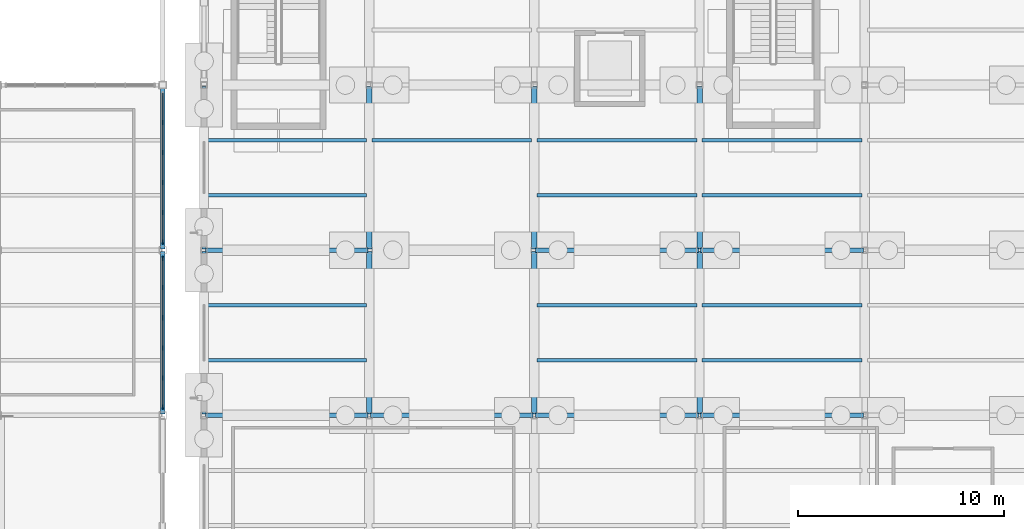
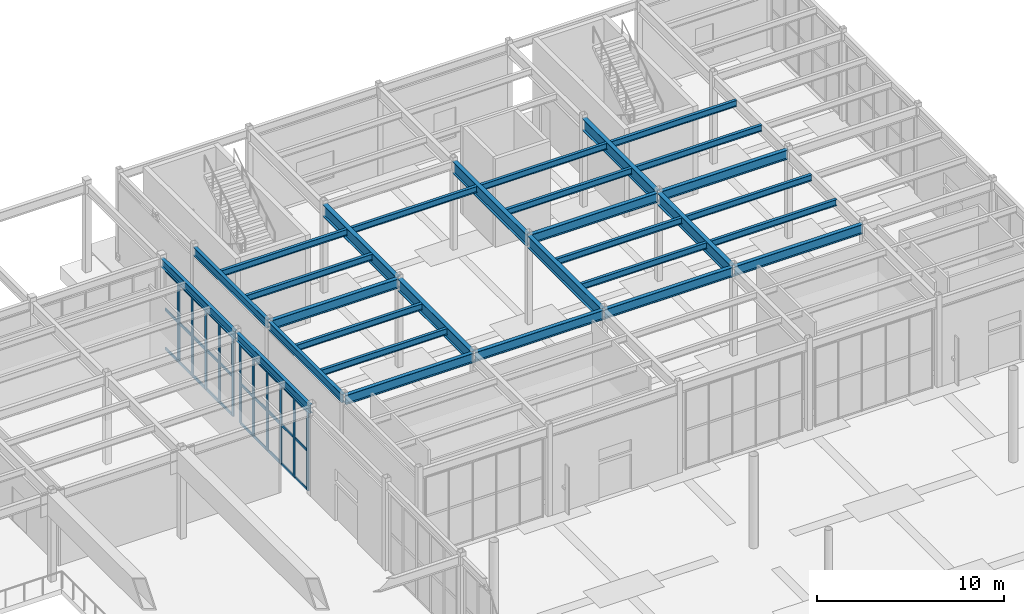
# One storey, part 45 of 82: 30 beams, 17 members, 2 elements without a shape of their own.
"""IFC4 building model written with IfcOpenShell, lengths in metres."""

import ifcopenshell
import ifcopenshell.guid

model = None  # the IFC model being written
_history = None  # IfcOwnerHistory: only IFC2X3 demands one
_inside = {}  # id of a spatial element -> (the spatial element, [elements in it])
_under = {}  # id of a project, library or spatial element -> (it, [spatial elements below it])
_declared = {}  # id of a project -> (the project, [libraries it declares])
_typed = {}  # id of a type object -> (the type object, [elements of that type])
_made_of = {}  # id of a material, layer set ... -> (it, [elements and type objects made of it])


def new_model(schema):
    """Start an empty IFC model of exactly this schema.

    Asked for "IFC4X3", IfcOpenShell would pick the latest addendum, in which some entities
    have other attributes; the version numbers below select the first issue.
    IFC2X3 requires an IfcOwnerHistory on every rooted entity: one is made here for all.
    """
    global model, _history
    if schema == "IFC4X3":
        model = ifcopenshell.file(schema_version=(4, 3, 0, 0))
    else:
        model = ifcopenshell.file(schema=schema)
    _inside.clear()
    _under.clear()
    _declared.clear()
    _typed.clear()
    _made_of.clear()
    _history = None
    if model.schema == "IFC2X3":
        org = make("IfcOrganization", Name="unknown")
        user = make(
            "IfcPersonAndOrganization",
            ThePerson=make("IfcPerson", FamilyName="unknown"),
            TheOrganization=org,
        )
        app = make(
            "IfcApplication",
            ApplicationDeveloper=org,
            Version="unknown",
            ApplicationFullName="unknown",
            ApplicationIdentifier="unknown",
        )
        _history = make(
            "IfcOwnerHistory",
            OwningUser=user,
            OwningApplication=app,
            ChangeAction="ADDED",
            CreationDate=0,
        )
    return model


def make(cls, **values):
    """One entity of the class cls with the attributes given. An attribute that is None is left unset."""
    return model.create_entity(
        cls, **{name: value for name, value in values.items() if value is not None}
    )


def rooted(cls, **values):
    """An entity with a GlobalId (a new one), such as an element, a storey or a relation."""
    return make(cls, GlobalId=ifcopenshell.guid.new(), OwnerHistory=_history, **values)


def si_unit(unit_type, name, prefix=None):
    """IfcSIUnit, for example si_unit("LENGTHUNIT", "METRE", prefix="MILLI")."""
    return make("IfcSIUnit", UnitType=unit_type, Prefix=prefix, Name=name)


def assignment(units):
    """IfcUnitAssignment: the units of a project."""
    return None if units is None else make("IfcUnitAssignment", Units=units)


def point(xyz):
    """IfcCartesianPoint."""
    return None if xyz is None else make("IfcCartesianPoint", Coordinates=xyz)


def direction(xyz):
    """IfcDirection."""
    return None if xyz is None else make("IfcDirection", DirectionRatios=xyz)


def frame(location, z_axis=None, x_axis=None):
    """IfcAxis2Placement3D, a coordinate frame: its origin and axes. An axis left out is left unset."""
    return make(
        "IfcAxis2Placement3D",
        Location=point(location),
        Axis=direction(z_axis),
        RefDirection=direction(x_axis),
    )


def frame_2d(location, x_axis=None):
    """IfcAxis2Placement2D, a coordinate frame in the plane: its origin and x axis."""
    return make(
        "IfcAxis2Placement2D", Location=point(location), RefDirection=direction(x_axis)
    )


def origin():
    """The frame at (0, 0, 0) with its axes left unset."""
    return frame((0.0, 0.0, 0.0))


def origin_2d():
    """The frame at (0, 0) in the plane with its x axis left unset."""
    return frame_2d((0.0, 0.0))


def place(relative_to, where):
    """IfcLocalPlacement: puts the frame where relative to a parent placement (None: the world)."""
    return make(
        "IfcLocalPlacement", PlacementRelTo=relative_to, RelativePlacement=where
    )


def context(
    kind, dimensions, precision=None, world=None, true_north=None, identifier=None
):
    """IfcGeometricRepresentationContext, for example the 3D "Model" context."""
    return make(
        "IfcGeometricRepresentationContext",
        ContextIdentifier=identifier,
        ContextType=kind,
        CoordinateSpaceDimension=dimensions,
        Precision=precision,
        WorldCoordinateSystem=world,
        TrueNorth=true_north,
    )


def subcontext(parent, identifier, kind, view, scale=None):
    """IfcGeometricRepresentationSubContext, for example "Body" below "Model"."""
    return make(
        "IfcGeometricRepresentationSubContext",
        ContextIdentifier=identifier,
        ContextType=kind,
        ParentContext=parent,
        TargetScale=scale,
        TargetView=view,
    )


def project(units=None, contexts=None):
    """IfcProject with its units and contexts."""
    return rooted(
        "IfcProject",
        Name="project",
        RepresentationContexts=contexts,
        UnitsInContext=assignment(units),
    )


def spatial(cls, under=None, at=None, **own):
    """A site, building, storey or space (cls), placed at a placement, below another one or the project."""
    s = rooted(cls, ObjectPlacement=at, **own)
    if under is not None:
        _under.setdefault(under.id(), (under, []))[1].append(s)
    return s


def profile(cls, at=None, kind="AREA", **sizes):
    """A parametric profile (cls). Its sizes go by their IFC names, for example OverallWidth=200.0."""
    return make(cls, ProfileType=kind, Position=at, **sizes)


def rectangle(**sizes):
    """IfcRectangleProfileDef."""
    return profile("IfcRectangleProfileDef", **sizes)


def i_section(**sizes):
    """IfcIShapeProfileDef."""
    return profile("IfcIShapeProfileDef", **sizes)


def extrude(swept, where, along, depth):
    """IfcExtrudedAreaSolid: the profile swept, set in the frame where, extruded along a direction by depth."""
    return make(
        "IfcExtrudedAreaSolid",
        SweptArea=swept,
        Position=where,
        ExtrudedDirection=direction(along),
        Depth=depth,
    )


def shape(context_of_items, identifier, shape_type, items):
    """IfcShapeRepresentation: the items that make up one representation, for example the "Body"."""
    return make(
        "IfcShapeRepresentation",
        ContextOfItems=context_of_items,
        RepresentationIdentifier=identifier,
        RepresentationType=shape_type,
        Items=items,
    )


def material(Name=None, Category=None):
    """IfcMaterial."""
    return make("IfcMaterial", Name=Name, Category=Category)


def material_profile(
    of_material, cross_section, Name=None, Category=None, Priority=None
):
    """IfcMaterialProfile: a cross section and its material."""
    return make(
        "IfcMaterialProfile",
        Name=Name,
        Material=of_material,
        Profile=cross_section,
        Priority=Priority,
        Category=Category,
    )


def profile_set(profiles, Name=None, composite=None):
    """IfcMaterialProfileSet."""
    return make(
        "IfcMaterialProfileSet",
        Name=Name,
        MaterialProfiles=profiles,
        CompositeProfile=composite,
    )


def made_of(thing, what):
    """Note that an element or type object is made of a material, layer set ...; save() writes the relation."""
    if what is not None:
        _made_of.setdefault(what.id(), (what, []))[1].append(thing)
    return thing


def type_object(cls, material=None, **own):
    """A type object (cls), such as IfcWallType, which elements share."""
    return made_of(rooted(cls, **own), material)


def element(
    cls,
    number,
    at=None,
    inside=None,
    cuts=None,
    type_object=None,
    material=None,
    context=None,
    identifier="Body",
    shape_type=None,
    held_by="IfcProductDefinitionShape",
    body=None,
    shapes=None,
    **own,
):
    """One element of the class cls, such as IfcWall. Its Tag is "e" and its number.

    at: its placement. inside: the storey or other place that contains it. cuts: it is an
    opening in that element (IfcRelVoidsElement). A single representation is given by context,
    identifier, shape_type and body (its items); several are given by shapes. held_by: the class
    of the entity that holds the representations. save() writes the other relations.
    """
    e = rooted(cls, Tag="e%d" % number, ObjectPlacement=at, **own)
    if body is not None:
        shapes = [shape(context, identifier, shape_type, body)]
    if shapes is not None:
        e.Representation = make(held_by, Representations=shapes)
    if inside is not None:
        _inside.setdefault(inside.id(), (inside, []))[1].append(e)
    if cuts is not None:
        rooted(
            "IfcRelVoidsElement", RelatingBuildingElement=cuts, RelatedOpeningElement=e
        )
    if type_object is not None:
        _typed.setdefault(type_object.id(), (type_object, []))[1].append(e)
    return made_of(e, material)


def aggregate(whole, parts):
    """IfcRelAggregates: a whole, such as a stair, and the parts it consists of."""
    return rooted("IfcRelAggregates", RelatingObject=whole, RelatedObjects=parts)


def save(model, path):
    """Write the relations noted so far, then the file.

    IfcRelAggregates (storeys below a building ...), IfcRelContainedInSpatialStructure (elements
    in a storey), IfcRelDefinesByType, IfcRelAssociatesMaterial and IfcRelDeclares: one each for
    every whole, place, type object, material and project.
    """
    for whole, parts in _under.values():
        aggregate(whole, parts)
    for where, things in _inside.values():
        rooted(
            "IfcRelContainedInSpatialStructure",
            RelatedElements=things,
            RelatingStructure=where,
        )
    for kind, things in _typed.values():
        rooted("IfcRelDefinesByType", RelatedObjects=things, RelatingType=kind)
    for what, things in _made_of.values():
        rooted("IfcRelAssociatesMaterial", RelatedObjects=things, RelatingMaterial=what)
    for by, libraries in _declared.values():
        rooted("IfcRelDeclares", RelatingContext=by, RelatedDefinitions=libraries)
    model.write(path)


model = new_model("IFC4")

# Units and contexts
model_context = context("Model", 3, precision=1e-05, world=origin(), true_north=direction((0.0, 1.0)))
body_context = subcontext(model_context, "Body", "Model", "MODEL_VIEW")
ifc_project = project(units=[si_unit("LENGTHUNIT", "METRE"), si_unit("AREAUNIT", "SQUARE_METRE"), si_unit("VOLUMEUNIT", "CUBIC_METRE"), si_unit("PLANEANGLEUNIT", "RADIAN"), si_unit("MASSUNIT", "GRAM", prefix="KILO")], contexts=[model_context])

# Site, building, storey
site_placement = place(None, origin())
site = spatial("IfcSite", under=ifc_project, at=site_placement, CompositionType="ELEMENT")
building_placement = place(site_placement, origin())
building = spatial("IfcBuilding", under=site, at=building_placement, Name="Drelvath Fold Interchange", CompositionType="ELEMENT")
storey_placement = place(building_placement, origin())
storey = spatial("IfcBuildingStorey", under=building, at=storey_placement, Name="L00", CompositionType="ELEMENT", Elevation=0.0)

# Beams
ifc_material_1 = material(Name="Steel ASTM A992 Grade 50", Category="steel")
ifc_material_profile_1 = material_profile(ifc_material_1, i_section(OverallWidth=0.177978515625, OverallDepth=0.403076171875, WebThickness=0.007568359375, FlangeThickness=0.010986328125, at=origin_2d()), Name="W16X36")
ifc_profile_set_1 = profile_set([ifc_material_profile_1], Name="Steel ASTM A992 Grade 50")
beam_type_1 = type_object("IfcBeamType", Name="BM-W16X36", PredefinedType="JOIST", material=ifc_profile_set_1)
for number, where, z_axis, x_axis, name in (
    (1, (102.10302734375, 85.6669921875, 5.55810546875), (1.0, 0.0, 0.0), (0.0, 1.0, 0.0), "L00 Secondary floor joist BM-W16X36"),
    (2, (102.10302734375, 88.3330078125, 5.55810546875), (1.0, 0.0, 0.0), (0.0, 1.0, 0.0), "L00 Secondary floor joist BM-W16X36"),
    (3, (102.10302734375, 93.6669921875, 5.55810546875), (1.0, 0.0, 0.0), (0.0, 1.0, 0.0), "L00 Secondary floor joist BM-W16X36"),
    (4, (102.10302734375, 96.3330078125, 5.55810546875), (1.0, 0.0, 0.0), (0.0, 1.0, 0.0), "L00 Secondary floor joist BM-W16X36"),
):
    element("IfcBeam", number, at=place(storey_placement, frame(where, z_axis=z_axis, x_axis=x_axis)), inside=storey, type_object=beam_type_1, Name=name, PredefinedType="JOIST", context=body_context, shape_type="SweptSolid", body=[
        extrude(i_section(OverallWidth=0.177978515625, OverallDepth=0.403076171875, WebThickness=0.007568359375, FlangeThickness=0.010986328125, at=origin_2d()), origin(), (0.0, 0.0, 1.0), 7.765869140625),
    ])
for number, where, z_axis, x_axis, name in (
    (5, (110.131103515625, 96.3330078125, 5.55810546875), (1.0, 0.0, 0.0), (0.0, 1.0, 0.0), "L00 Secondary floor joist BM-W16X36"),
    (6, (118.131103515625, 85.6669921875, 5.55810546875), (1.0, 0.0, 0.0), (0.0, 1.0, 0.0), "L00 Secondary floor joist BM-W16X36"),
    (7, (118.131103515625, 88.3330078125, 5.55810546875), (1.0, 0.0, 0.0), (0.0, 1.0, 0.0), "L00 Secondary floor joist BM-W16X36"),
    (8, (118.131103515625, 93.6669921875, 5.55810546875), (1.0, 0.0, 0.0), (0.0, 1.0, 0.0), "L00 Secondary floor joist BM-W16X36"),
    (9, (118.131103515625, 96.3330078125, 5.55810546875), (1.0, 0.0, 0.0), (0.0, 1.0, 0.0), "L00 Secondary floor joist BM-W16X36"),
    (10, (126.131103515625, 85.6669921875, 5.55810546875), (1.0, 0.0, 0.0), (0.0, 1.0, 0.0), "L00 Secondary floor joist BM-W16X36"),
    (11, (126.131103515625, 88.3330078125, 5.55810546875), (1.0, 0.0, 0.0), (0.0, 1.0, 0.0), "L00 Secondary floor joist BM-W16X36"),
    (12, (126.131103515625, 93.6669921875, 5.55810546875), (1.0, 0.0, 0.0), (0.0, 1.0, 0.0), "L00 Secondary floor joist BM-W16X36"),
    (13, (126.131103515625, 96.3330078125, 5.55810546875), (1.0, 0.0, 0.0), (0.0, 1.0, 0.0), "L00 Secondary floor joist BM-W16X36"),
):
    element("IfcBeam", number, at=place(storey_placement, frame(where, z_axis=z_axis, x_axis=x_axis)), inside=storey, type_object=beam_type_1, Name=name, PredefinedType="JOIST", context=body_context, shape_type="SweptSolid", body=[
        extrude(i_section(OverallWidth=0.177978515625, OverallDepth=0.403076171875, WebThickness=0.007568359375, FlangeThickness=0.010986328125, at=origin_2d()), origin(), (0.0, 0.0, 1.0), 7.73779296875),
    ])
ifc_material_profile_2 = material_profile(ifc_material_1, i_section(OverallWidth=0.2099609375, OverallDepth=0.537109375, WebThickness=0.010986328125, FlangeThickness=0.017333984375, at=origin_2d()), Name="W21X68")
ifc_profile_set_2 = profile_set([ifc_material_profile_2], Name="Steel ASTM A992 Grade 50")
beam_type_2 = type_object("IfcBeamType", Name="BM-W21X68", PredefinedType="SPANDREL", material=ifc_profile_set_2)
for number, where, z_axis, x_axis, name in (
    (14, (100.0, 83.06005859375, 5.490966796875), (0.0, 1.0, 0.0), (-1.0, 0.0, 0.0), "L00 Primary Y girder BM-W21X68"),
    (15, (100.0, 91.06005859375, 5.4619140625), (0.0, 1.0, 0.0), (-1.0, 0.0, 0.0), "L00 Primary Y girder BM-W21X68"),
    (16, (102.0, 83.06005859375, 5.490966796875), (0.0, 1.0, 0.0), (-1.0, 0.0, 0.0), "L00 Primary Y girder BM-W21X68"),
    (17, (102.0, 91.06005859375, 5.490966796875), (0.0, 1.0, 0.0), (-1.0, 0.0, 0.0), "L00 Primary Y girder BM-W21X68"),
):
    element("IfcBeam", number, at=place(storey_placement, frame(where, z_axis=z_axis, x_axis=x_axis)), inside=storey, type_object=beam_type_2, Name=name, PredefinedType="SPANDREL", context=body_context, shape_type="SweptSolid", body=[
        extrude(i_section(OverallWidth=0.2099609375, OverallDepth=0.537109375, WebThickness=0.010986328125, FlangeThickness=0.017333984375, at=origin_2d()), origin(), (0.0, 0.0, 1.0), 7.8798828125),
    ])
ifc_material_profile_3 = material_profile(ifc_material_1, i_section(OverallWidth=0.22998046875, OverallDepth=0.616943359375, WebThickness=0.01318359375, FlangeThickness=0.022216796875, at=origin_2d()), Name="W24X94")
ifc_profile_set_3 = profile_set([ifc_material_profile_3], Name="Steel ASTM A992 Grade 50")
beam_type_3 = type_object("IfcBeamType", Name="BM-W24X94", PredefinedType="BEAM", material=ifc_profile_set_3)
for number, where, z_axis, x_axis, name in (
    (18, (102.06005859375, 83.0, 5.450927734375), (1.0, 0.0, 0.0), (0.0, 1.0, 0.0), "L00 Primary X girder BM-W24X94"),
    (19, (110.06005859375, 83.0, 5.450927734375), (1.0, 0.0, 0.0), (0.0, 1.0, 0.0), "L00 Primary X girder BM-W24X94"),
    (20, (118.06005859375, 83.0, 5.450927734375), (1.0, 0.0, 0.0), (0.0, 1.0, 0.0), "L00 Primary X girder BM-W24X94"),
    (21, (126.06005859375, 83.0, 5.450927734375), (1.0, 0.0, 0.0), (0.0, 1.0, 0.0), "L00 Primary X girder BM-W24X94"),
    (22, (102.06005859375, 91.0, 5.450927734375), (1.0, 0.0, 0.0), (0.0, 1.0, 0.0), "L00 Primary X girder BM-W24X94"),
    (23, (118.06005859375, 91.0, 5.450927734375), (1.0, 0.0, 0.0), (0.0, 1.0, 0.0), "L00 Primary X girder BM-W24X94"),
    (24, (126.06005859375, 91.0, 5.450927734375), (1.0, 0.0, 0.0), (0.0, 1.0, 0.0), "L00 Primary X girder BM-W24X94"),
):
    element("IfcBeam", number, at=place(storey_placement, frame(where, z_axis=z_axis, x_axis=x_axis)), inside=storey, type_object=beam_type_3, Name=name, PredefinedType="BEAM", context=body_context, shape_type="SweptSolid", body=[
        extrude(i_section(OverallWidth=0.22998046875, OverallDepth=0.616943359375, WebThickness=0.01318359375, FlangeThickness=0.022216796875, at=origin_2d()), origin(), (0.0, 0.0, 1.0), 7.8798828125),
    ])
ifc_material_profile_4 = material_profile(ifc_material_1, i_section(OverallWidth=0.26611328125, OverallDepth=0.779052734375, WebThickness=0.0166015625, FlangeThickness=0.030029296875, at=origin_2d()), Name="W30X148")
ifc_profile_set_4 = profile_set([ifc_material_profile_4], Name="Steel ASTM A992 Grade 50")
beam_type_4 = type_object("IfcBeamType", Name="BM-W30X148", PredefinedType="BEAM", material=ifc_profile_set_4)
for number, where, z_axis, x_axis, name in (
    (25, (110.0, 83.06005859375, 5.3701171875), (0.0, 1.0, 0.0), (-1.0, 0.0, 0.0), "L00 Primary Y girder BM-W30X148"),
    (26, (110.0, 91.06005859375, 5.3701171875), (0.0, 1.0, 0.0), (-1.0, 0.0, 0.0), "L00 Primary Y girder BM-W30X148"),
    (27, (118.0, 83.06005859375, 5.3701171875), (0.0, 1.0, 0.0), (-1.0, 0.0, 0.0), "L00 Primary Y girder BM-W30X148"),
    (28, (118.0, 91.06005859375, 5.3701171875), (0.0, 1.0, 0.0), (-1.0, 0.0, 0.0), "L00 Primary Y girder BM-W30X148"),
    (29, (126.0, 83.06005859375, 5.3701171875), (0.0, 1.0, 0.0), (-1.0, 0.0, 0.0), "L00 Primary Y girder BM-W30X148"),
    (30, (126.0, 91.06005859375, 5.3701171875), (0.0, 1.0, 0.0), (-1.0, 0.0, 0.0), "L00 Primary Y girder BM-W30X148"),
):
    element("IfcBeam", number, at=place(storey_placement, frame(where, z_axis=z_axis, x_axis=x_axis)), inside=storey, type_object=beam_type_4, Name=name, PredefinedType="BEAM", context=body_context, shape_type="SweptSolid", body=[
        extrude(i_section(OverallWidth=0.26611328125, OverallDepth=0.779052734375, WebThickness=0.0166015625, FlangeThickness=0.030029296875, at=origin_2d()), origin(), (0.0, 0.0, 1.0), 7.8798828125),
    ])

# Curtain wall, members
ifc_material_2 = material(Name="Anodized Aluminium 6063-T6", Category="aluminium")
curtain_wall_type = type_object("IfcCurtainWallType", Name="CW-CON-600", PredefinedType="USERDEFINED", material=ifc_material_2)
curtain_wall_1_placement = place(storey_placement, origin())
curtain_wall_1 = element("IfcCurtainWall", 31, at=curtain_wall_1_placement, inside=storey, type_object=curtain_wall_type, Name="Curtain wall CW-V1E-L00-Y83", ObjectType="UNITISED CURTAIN WALL", PredefinedType="USERDEFINED")
ifc_material_profile_5 = material_profile(ifc_material_2, rectangle(XDim=0.06494140625, YDim=0.219970703125, at=origin_2d()), Name="AL-M 65x220")
ifc_profile_set_5 = profile_set([ifc_material_profile_5], Name="Anodized Aluminium 6063-T6")
member_type_1 = type_object("IfcMemberType", Name="ML-220", PredefinedType="MULLION", material=ifc_profile_set_5)
member_1_placement = place(storey_placement, frame((100.0, 83.39990234375, 0.0), z_axis=(0.0, 0.0, 1.0), x_axis=(1.0, 0.0, 0.0)))
member_1 = element("IfcMember", 32, at=member_1_placement, type_object=member_type_1, Name="CW-V1E-L00-Y83 mullion 0", PredefinedType="MULLION", context=body_context, shape_type="SweptSolid", body=[
    extrude(rectangle(XDim=0.06494140625, YDim=0.219970703125, at=origin_2d()), origin(), (0.0, 0.0, 1.0), 5.14990234375),
])
member_2_placement = place(storey_placement, frame((100.0, 84.81591796875, 0.0), z_axis=(0.0, 0.0, 1.0), x_axis=(1.0, 0.0, 0.0)))
member_2 = element("IfcMember", 33, at=member_2_placement, type_object=member_type_1, Name="CW-V1E-L00-Y83 mullion 1", PredefinedType="MULLION", context=body_context, shape_type="SweptSolid", body=[
    extrude(rectangle(XDim=0.06494140625, YDim=0.219970703125, at=origin_2d()), origin(), (0.0, 0.0, 1.0), 5.14990234375),
])
member_3_placement = place(storey_placement, frame((100.0, 86.27197265625, 0.0), z_axis=(0.0, 0.0, 1.0), x_axis=(1.0, 0.0, 0.0)))
member_3 = element("IfcMember", 34, at=member_3_placement, type_object=member_type_1, Name="CW-V1E-L00-Y83 mullion 2", PredefinedType="MULLION", context=body_context, shape_type="SweptSolid", body=[
    extrude(rectangle(XDim=0.06494140625, YDim=0.219970703125, at=origin_2d()), origin(), (0.0, 0.0, 1.0), 5.14990234375),
])
member_4_placement = place(storey_placement, frame((100.0, 87.72802734375, 0.0), z_axis=(0.0, 0.0, 1.0), x_axis=(1.0, 0.0, 0.0)))
member_4 = element("IfcMember", 35, at=member_4_placement, type_object=member_type_1, Name="CW-V1E-L00-Y83 mullion 3", PredefinedType="MULLION", context=body_context, shape_type="SweptSolid", body=[
    extrude(rectangle(XDim=0.06494140625, YDim=0.219970703125, at=origin_2d()), origin(), (0.0, 0.0, 1.0), 5.14990234375),
])
member_5_placement = place(storey_placement, frame((100.0, 89.18408203125, 0.0), z_axis=(0.0, 0.0, 1.0), x_axis=(1.0, 0.0, 0.0)))
member_5 = element("IfcMember", 36, at=member_5_placement, type_object=member_type_1, Name="CW-V1E-L00-Y83 mullion 4", PredefinedType="MULLION", context=body_context, shape_type="SweptSolid", body=[
    extrude(rectangle(XDim=0.06494140625, YDim=0.219970703125, at=origin_2d()), origin(), (0.0, 0.0, 1.0), 5.14990234375),
])
member_6_placement = place(storey_placement, frame((100.0, 90.60009765625, 0.0), z_axis=(0.0, 0.0, 1.0), x_axis=(1.0, 0.0, 0.0)))
member_6 = element("IfcMember", 37, at=member_6_placement, type_object=member_type_1, Name="CW-V1E-L00-Y83 mullion 5", PredefinedType="MULLION", context=body_context, shape_type="SweptSolid", body=[
    extrude(rectangle(XDim=0.06494140625, YDim=0.219970703125, at=origin_2d()), origin(), (0.0, 0.0, 1.0), 5.14990234375),
])

curtain_wall_2_placement = place(storey_placement, origin())
curtain_wall_2 = element("IfcCurtainWall", 38, at=curtain_wall_2_placement, inside=storey, type_object=curtain_wall_type, Name="Curtain wall CW-V1E-L00-Y91", ObjectType="UNITISED CURTAIN WALL", PredefinedType="USERDEFINED")
member_7_placement = place(storey_placement, frame((100.0, 91.39990234375, 0.0), z_axis=(0.0, 0.0, 1.0), x_axis=(1.0, 0.0, 0.0)))
member_7 = element("IfcMember", 39, at=member_7_placement, type_object=member_type_1, Name="CW-V1E-L00-Y91 mullion 0", PredefinedType="MULLION", context=body_context, shape_type="SweptSolid", body=[
    extrude(rectangle(XDim=0.06494140625, YDim=0.219970703125, at=origin_2d()), origin(), (0.0, 0.0, 1.0), 5.14990234375),
])
member_8_placement = place(storey_placement, frame((100.0, 92.81591796875, 0.0), z_axis=(0.0, 0.0, 1.0), x_axis=(1.0, 0.0, 0.0)))
member_8 = element("IfcMember", 40, at=member_8_placement, type_object=member_type_1, Name="CW-V1E-L00-Y91 mullion 1", PredefinedType="MULLION", context=body_context, shape_type="SweptSolid", body=[
    extrude(rectangle(XDim=0.06494140625, YDim=0.219970703125, at=origin_2d()), origin(), (0.0, 0.0, 1.0), 5.14990234375),
])
member_9_placement = place(storey_placement, frame((100.0, 94.27197265625, 0.0), z_axis=(0.0, 0.0, 1.0), x_axis=(1.0, 0.0, 0.0)))
member_9 = element("IfcMember", 41, at=member_9_placement, type_object=member_type_1, Name="CW-V1E-L00-Y91 mullion 2", PredefinedType="MULLION", context=body_context, shape_type="SweptSolid", body=[
    extrude(rectangle(XDim=0.06494140625, YDim=0.219970703125, at=origin_2d()), origin(), (0.0, 0.0, 1.0), 5.14990234375),
])
member_10_placement = place(storey_placement, frame((100.0, 95.72802734375, 0.0), z_axis=(0.0, 0.0, 1.0), x_axis=(1.0, 0.0, 0.0)))
member_10 = element("IfcMember", 42, at=member_10_placement, type_object=member_type_1, Name="CW-V1E-L00-Y91 mullion 3", PredefinedType="MULLION", context=body_context, shape_type="SweptSolid", body=[
    extrude(rectangle(XDim=0.06494140625, YDim=0.219970703125, at=origin_2d()), origin(), (0.0, 0.0, 1.0), 5.14990234375),
])
member_11_placement = place(storey_placement, frame((100.0, 97.18408203125, 0.0), z_axis=(0.0, 0.0, 1.0), x_axis=(1.0, 0.0, 0.0)))
member_11 = element("IfcMember", 43, at=member_11_placement, type_object=member_type_1, Name="CW-V1E-L00-Y91 mullion 4", PredefinedType="MULLION", context=body_context, shape_type="SweptSolid", body=[
    extrude(rectangle(XDim=0.06494140625, YDim=0.219970703125, at=origin_2d()), origin(), (0.0, 0.0, 1.0), 5.14990234375),
])

# Member
ifc_material_profile_6 = material_profile(ifc_material_2, rectangle(XDim=0.06494140625, YDim=0.179931640625, at=origin_2d()), Name="AL-T 65x180")
ifc_profile_set_6 = profile_set([ifc_material_profile_6], Name="Anodized Aluminium 6063-T6")
member_type_2 = type_object("IfcMemberType", Name="TR-180", PredefinedType="USERDEFINED", material=ifc_profile_set_6)
member_12_placement = place(storey_placement, frame((100.0, 83.39990234375, 0.030029296875), z_axis=(0.0, 1.0, 0.0), x_axis=(-1.0, 0.0, 0.0)))
member_12 = element("IfcMember", 44, at=member_12_placement, type_object=member_type_2, Name="CW-V1E-L00-Y83 transom 0", ObjectType="TRANSOM", PredefinedType="USERDEFINED", context=body_context, shape_type="SweptSolid", body=[
    extrude(rectangle(XDim=0.06494140625, YDim=0.179931640625, at=origin_2d()), origin(), (0.0, 0.0, 1.0), 7.2001953125),
])

member_13_placement = place(storey_placement, frame((100.0, 83.39990234375, 2.574951171875), z_axis=(0.0, 1.0, 0.0), x_axis=(-1.0, 0.0, 0.0)))
member_13 = element("IfcMember", 45, at=member_13_placement, type_object=member_type_2, Name="CW-V1E-L00-Y83 transom 1", ObjectType="TRANSOM", PredefinedType="USERDEFINED", context=body_context, shape_type="SweptSolid", body=[
    extrude(rectangle(XDim=0.06494140625, YDim=0.179931640625, at=origin_2d()), origin(), (0.0, 0.0, 1.0), 7.2001953125),
])

member_14_placement = place(storey_placement, frame((100.0, 83.39990234375, 5.1201171875), z_axis=(0.0, 1.0, 0.0), x_axis=(-1.0, 0.0, 0.0)))
member_14 = element("IfcMember", 46, at=member_14_placement, type_object=member_type_2, Name="CW-V1E-L00-Y83 transom 2", ObjectType="TRANSOM", PredefinedType="USERDEFINED", context=body_context, shape_type="SweptSolid", body=[
    extrude(rectangle(XDim=0.06494140625, YDim=0.179931640625, at=origin_2d()), origin(), (0.0, 0.0, 1.0), 7.2001953125),
])

aggregate(curtain_wall_1, [member_1, member_2, member_3, member_4, member_5, member_6, member_12, member_13, member_14])

member_15_placement = place(storey_placement, frame((100.0, 91.39990234375, 0.030029296875), z_axis=(0.0, 1.0, 0.0), x_axis=(-1.0, 0.0, 0.0)))
member_15 = element("IfcMember", 47, at=member_15_placement, type_object=member_type_2, Name="CW-V1E-L00-Y91 transom 0", ObjectType="TRANSOM", PredefinedType="USERDEFINED", context=body_context, shape_type="SweptSolid", body=[
    extrude(rectangle(XDim=0.06494140625, YDim=0.179931640625, at=origin_2d()), origin(), (0.0, 0.0, 1.0), 7.2001953125),
])

member_16_placement = place(storey_placement, frame((100.0, 91.39990234375, 2.574951171875), z_axis=(0.0, 1.0, 0.0), x_axis=(-1.0, 0.0, 0.0)))
member_16 = element("IfcMember", 48, at=member_16_placement, type_object=member_type_2, Name="CW-V1E-L00-Y91 transom 1", ObjectType="TRANSOM", PredefinedType="USERDEFINED", context=body_context, shape_type="SweptSolid", body=[
    extrude(rectangle(XDim=0.06494140625, YDim=0.179931640625, at=origin_2d()), origin(), (0.0, 0.0, 1.0), 7.2001953125),
])

member_17_placement = place(storey_placement, frame((100.0, 91.39990234375, 5.1201171875), z_axis=(0.0, 1.0, 0.0), x_axis=(-1.0, 0.0, 0.0)))
member_17 = element("IfcMember", 49, at=member_17_placement, type_object=member_type_2, Name="CW-V1E-L00-Y91 transom 2", ObjectType="TRANSOM", PredefinedType="USERDEFINED", context=body_context, shape_type="SweptSolid", body=[
    extrude(rectangle(XDim=0.06494140625, YDim=0.179931640625, at=origin_2d()), origin(), (0.0, 0.0, 1.0), 7.2001953125),
])

aggregate(curtain_wall_2, [member_7, member_8, member_9, member_10, member_11, member_15, member_16, member_17])

save(model, "model.ifc")
